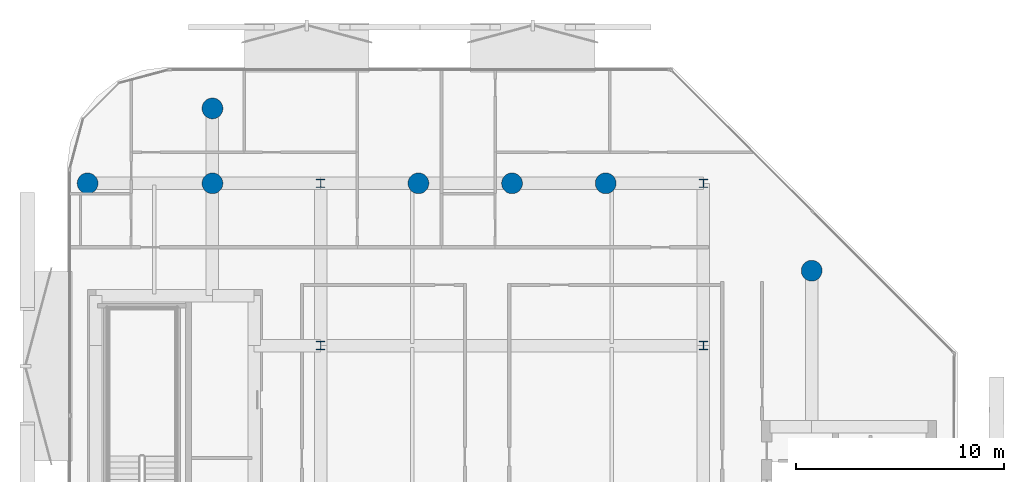
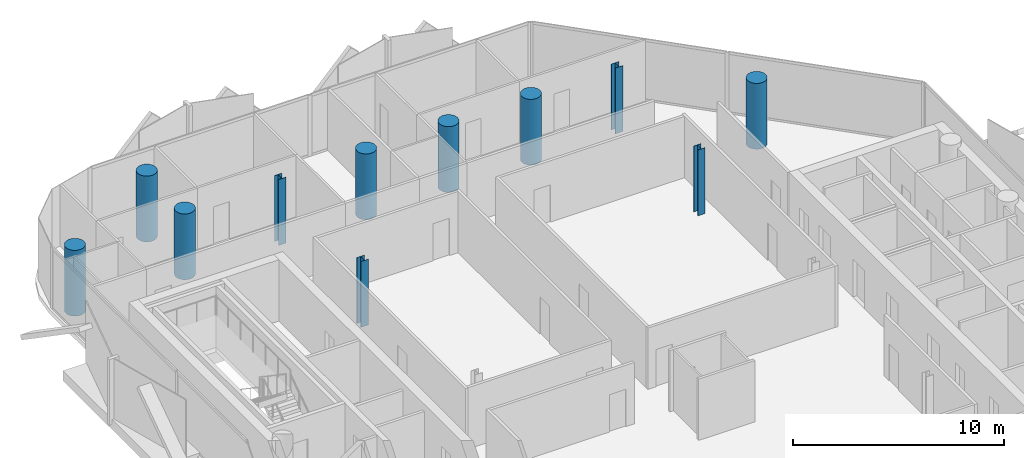
# One storey, part 2 of 16: 11 columns.
"""IFC4 building model written with IfcOpenShell, lengths in metres."""

import ifcopenshell
import ifcopenshell.guid

model = None  # the IFC model being written
_history = None  # IfcOwnerHistory: only IFC2X3 demands one
_inside = {}  # id of a spatial element -> (the spatial element, [elements in it])
_under = {}  # id of a project, library or spatial element -> (it, [spatial elements below it])
_declared = {}  # id of a project -> (the project, [libraries it declares])
_typed = {}  # id of a type object -> (the type object, [elements of that type])
_made_of = {}  # id of a material, layer set ... -> (it, [elements and type objects made of it])


def new_model(schema):
    """Start an empty IFC model of exactly this schema.

    Asked for "IFC4X3", IfcOpenShell would pick the latest addendum, in which some entities
    have other attributes; the version numbers below select the first issue.
    IFC2X3 requires an IfcOwnerHistory on every rooted entity: one is made here for all.
    """
    global model, _history
    if schema == "IFC4X3":
        model = ifcopenshell.file(schema_version=(4, 3, 0, 0))
    else:
        model = ifcopenshell.file(schema=schema)
    _inside.clear()
    _under.clear()
    _declared.clear()
    _typed.clear()
    _made_of.clear()
    _history = None
    if model.schema == "IFC2X3":
        org = make("IfcOrganization", Name="unknown")
        user = make(
            "IfcPersonAndOrganization",
            ThePerson=make("IfcPerson", FamilyName="unknown"),
            TheOrganization=org,
        )
        app = make(
            "IfcApplication",
            ApplicationDeveloper=org,
            Version="unknown",
            ApplicationFullName="unknown",
            ApplicationIdentifier="unknown",
        )
        _history = make(
            "IfcOwnerHistory",
            OwningUser=user,
            OwningApplication=app,
            ChangeAction="ADDED",
            CreationDate=0,
        )
    return model


def make(cls, **values):
    """One entity of the class cls with the attributes given. An attribute that is None is left unset."""
    return model.create_entity(
        cls, **{name: value for name, value in values.items() if value is not None}
    )


def rooted(cls, **values):
    """An entity with a GlobalId (a new one), such as an element, a storey or a relation."""
    return make(cls, GlobalId=ifcopenshell.guid.new(), OwnerHistory=_history, **values)


def si_unit(unit_type, name, prefix=None):
    """IfcSIUnit, for example si_unit("LENGTHUNIT", "METRE", prefix="MILLI")."""
    return make("IfcSIUnit", UnitType=unit_type, Prefix=prefix, Name=name)


def assignment(units):
    """IfcUnitAssignment: the units of a project."""
    return None if units is None else make("IfcUnitAssignment", Units=units)


def point(xyz):
    """IfcCartesianPoint."""
    return None if xyz is None else make("IfcCartesianPoint", Coordinates=xyz)


def direction(xyz):
    """IfcDirection."""
    return None if xyz is None else make("IfcDirection", DirectionRatios=xyz)


def frame(location, z_axis=None, x_axis=None):
    """IfcAxis2Placement3D, a coordinate frame: its origin and axes. An axis left out is left unset."""
    return make(
        "IfcAxis2Placement3D",
        Location=point(location),
        Axis=direction(z_axis),
        RefDirection=direction(x_axis),
    )


def frame_2d(location, x_axis=None):
    """IfcAxis2Placement2D, a coordinate frame in the plane: its origin and x axis."""
    return make(
        "IfcAxis2Placement2D", Location=point(location), RefDirection=direction(x_axis)
    )


def origin():
    """The frame at (0, 0, 0) with its axes left unset."""
    return frame((0.0, 0.0, 0.0))


def origin_2d():
    """The frame at (0, 0) in the plane with its x axis left unset."""
    return frame_2d((0.0, 0.0))


def place(relative_to, where):
    """IfcLocalPlacement: puts the frame where relative to a parent placement (None: the world)."""
    return make(
        "IfcLocalPlacement", PlacementRelTo=relative_to, RelativePlacement=where
    )


def context(
    kind, dimensions, precision=None, world=None, true_north=None, identifier=None
):
    """IfcGeometricRepresentationContext, for example the 3D "Model" context."""
    return make(
        "IfcGeometricRepresentationContext",
        ContextIdentifier=identifier,
        ContextType=kind,
        CoordinateSpaceDimension=dimensions,
        Precision=precision,
        WorldCoordinateSystem=world,
        TrueNorth=true_north,
    )


def subcontext(parent, identifier, kind, view, scale=None):
    """IfcGeometricRepresentationSubContext, for example "Body" below "Model"."""
    return make(
        "IfcGeometricRepresentationSubContext",
        ContextIdentifier=identifier,
        ContextType=kind,
        ParentContext=parent,
        TargetScale=scale,
        TargetView=view,
    )


def project(units=None, contexts=None):
    """IfcProject with its units and contexts."""
    return rooted(
        "IfcProject",
        Name="project",
        RepresentationContexts=contexts,
        UnitsInContext=assignment(units),
    )


def spatial(cls, under=None, at=None, **own):
    """A site, building, storey or space (cls), placed at a placement, below another one or the project."""
    s = rooted(cls, ObjectPlacement=at, **own)
    if under is not None:
        _under.setdefault(under.id(), (under, []))[1].append(s)
    return s


def profile(cls, at=None, kind="AREA", **sizes):
    """A parametric profile (cls). Its sizes go by their IFC names, for example OverallWidth=200.0."""
    return make(cls, ProfileType=kind, Position=at, **sizes)


def circle(**sizes):
    """IfcCircleProfileDef."""
    return profile("IfcCircleProfileDef", **sizes)


def i_section(**sizes):
    """IfcIShapeProfileDef."""
    return profile("IfcIShapeProfileDef", **sizes)


def extrude(swept, where, along, depth):
    """IfcExtrudedAreaSolid: the profile swept, set in the frame where, extruded along a direction by depth."""
    return make(
        "IfcExtrudedAreaSolid",
        SweptArea=swept,
        Position=where,
        ExtrudedDirection=direction(along),
        Depth=depth,
    )


def shape(context_of_items, identifier, shape_type, items):
    """IfcShapeRepresentation: the items that make up one representation, for example the "Body"."""
    return make(
        "IfcShapeRepresentation",
        ContextOfItems=context_of_items,
        RepresentationIdentifier=identifier,
        RepresentationType=shape_type,
        Items=items,
    )


def material(Name=None, Category=None):
    """IfcMaterial."""
    return make("IfcMaterial", Name=Name, Category=Category)


def material_profile(
    of_material, cross_section, Name=None, Category=None, Priority=None
):
    """IfcMaterialProfile: a cross section and its material."""
    return make(
        "IfcMaterialProfile",
        Name=Name,
        Material=of_material,
        Profile=cross_section,
        Priority=Priority,
        Category=Category,
    )


def profile_set(profiles, Name=None, composite=None):
    """IfcMaterialProfileSet."""
    return make(
        "IfcMaterialProfileSet",
        Name=Name,
        MaterialProfiles=profiles,
        CompositeProfile=composite,
    )


def made_of(thing, what):
    """Note that an element or type object is made of a material, layer set ...; save() writes the relation."""
    if what is not None:
        _made_of.setdefault(what.id(), (what, []))[1].append(thing)
    return thing


def type_object(cls, material=None, **own):
    """A type object (cls), such as IfcWallType, which elements share."""
    return made_of(rooted(cls, **own), material)


def element(
    cls,
    number,
    at=None,
    inside=None,
    cuts=None,
    type_object=None,
    material=None,
    context=None,
    identifier="Body",
    shape_type=None,
    held_by="IfcProductDefinitionShape",
    body=None,
    shapes=None,
    **own,
):
    """One element of the class cls, such as IfcWall. Its Tag is "e" and its number.

    at: its placement. inside: the storey or other place that contains it. cuts: it is an
    opening in that element (IfcRelVoidsElement). A single representation is given by context,
    identifier, shape_type and body (its items); several are given by shapes. held_by: the class
    of the entity that holds the representations. save() writes the other relations.
    """
    e = rooted(cls, Tag="e%d" % number, ObjectPlacement=at, **own)
    if body is not None:
        shapes = [shape(context, identifier, shape_type, body)]
    if shapes is not None:
        e.Representation = make(held_by, Representations=shapes)
    if inside is not None:
        _inside.setdefault(inside.id(), (inside, []))[1].append(e)
    if cuts is not None:
        rooted(
            "IfcRelVoidsElement", RelatingBuildingElement=cuts, RelatedOpeningElement=e
        )
    if type_object is not None:
        _typed.setdefault(type_object.id(), (type_object, []))[1].append(e)
    return made_of(e, material)


def aggregate(whole, parts):
    """IfcRelAggregates: a whole, such as a stair, and the parts it consists of."""
    return rooted("IfcRelAggregates", RelatingObject=whole, RelatedObjects=parts)


def save(model, path):
    """Write the relations noted so far, then the file.

    IfcRelAggregates (storeys below a building ...), IfcRelContainedInSpatialStructure (elements
    in a storey), IfcRelDefinesByType, IfcRelAssociatesMaterial and IfcRelDeclares: one each for
    every whole, place, type object, material and project.
    """
    for whole, parts in _under.values():
        aggregate(whole, parts)
    for where, things in _inside.values():
        rooted(
            "IfcRelContainedInSpatialStructure",
            RelatedElements=things,
            RelatingStructure=where,
        )
    for kind, things in _typed.values():
        rooted("IfcRelDefinesByType", RelatedObjects=things, RelatingType=kind)
    for what, things in _made_of.values():
        rooted("IfcRelAssociatesMaterial", RelatedObjects=things, RelatingMaterial=what)
    for by, libraries in _declared.values():
        rooted("IfcRelDeclares", RelatingContext=by, RelatedDefinitions=libraries)
    model.write(path)


model = new_model("IFC4")

# Units and contexts
model_context = context("Model", 3, precision=1e-05, world=origin(), true_north=direction((0.0, 1.0)))
body_context = subcontext(model_context, "Body", "Model", "MODEL_VIEW")
ifc_project = project(units=[si_unit("LENGTHUNIT", "METRE"), si_unit("AREAUNIT", "SQUARE_METRE"), si_unit("VOLUMEUNIT", "CUBIC_METRE"), si_unit("PLANEANGLEUNIT", "RADIAN"), si_unit("MASSUNIT", "GRAM", prefix="KILO")], contexts=[model_context])

# Site, building, storey
site_placement = place(None, origin())
site = spatial("IfcSite", under=ifc_project, at=site_placement, CompositionType="ELEMENT")
building_placement = place(site_placement, origin())
building = spatial("IfcBuilding", under=site, at=building_placement, Name="Khairoan Windgate Tower", CompositionType="ELEMENT")
storey_placement = place(building_placement, frame((0.0, 0.0, 300.39990234375)))
storey = spatial("IfcBuildingStorey", under=building, at=storey_placement, Name="L72", CompositionType="ELEMENT", Elevation=300.39990234375)

# Columns
ifc_material_1 = material(Name="Concrete C60/75", Category="concrete")
ifc_material_profile_1 = material_profile(ifc_material_1, circle(Radius=0.5, at=origin_2d()))
ifc_profile_set_1 = profile_set([ifc_material_profile_1], Name="Concrete C60/75")
column_type_1 = type_object("IfcColumnType", Name="Column C-P1 RC-D1000", PredefinedType="COLUMN", material=ifc_profile_set_1)
for number, where, z_axis, x_axis, name in (
    (1, (-20.39990234375, 18.60009765625, 0.0), (0.0, 0.0, 1.0), (1.0, 0.0, 0.0), "Column L72-11"),
    (2, (-14.39990234375, 18.60009765625, 0.0), (0.0, 0.0, 1.0), (1.0, 0.0, 0.0), "Column L72-14"),
    (3, (14.39990234375, 14.39990234375, 0.0), (0.0, 0.0, 1.0), (1.0, 0.0, 0.0), "Column L72-16"),
    (4, (-4.5, 18.60009765625, 0.0), (0.0, 0.0, 1.0), (1.0, 0.0, 0.0), "Column L72-20"),
    (5, (0.0, 18.60009765625, 0.0), (0.0, 0.0, 1.0), (1.0, 0.0, 0.0), "Column L72-21"),
    (6, (4.5, 18.60009765625, 0.0), (0.0, 0.0, 1.0), (1.0, 0.0, 0.0), "Column L72-22"),
    (7, (-14.39990234375, 22.199951171875, 0.0), (0.0, 0.0, 1.0), (1.0, 0.0, 0.0), "Column L72-27"),
):
    element("IfcColumn", number, at=place(storey_placement, frame(where, z_axis=z_axis, x_axis=x_axis)), inside=storey, type_object=column_type_1, Name=name, PredefinedType="COLUMN", context=body_context, shape_type="SweptSolid", body=[
        extrude(circle(Radius=0.5, at=origin_2d()), origin(), (0.0, 0.0, 1.0), 3.800048828125),
    ])
ifc_material_2 = material(Name="Steel S355", Category="steel")
ifc_material_profile_2 = material_profile(ifc_material_2, i_section(OverallWidth=0.39990234375, OverallDepth=0.39990234375, WebThickness=0.012939453125, FlangeThickness=0.02099609375, FilletRadius=0.02197265625, at=origin_2d()))
ifc_profile_set_2 = profile_set([ifc_material_profile_2], Name="Steel S355")
column_type_2 = type_object("IfcColumnType", Name="Steel Column SC4 H400x400x13x21", PredefinedType="COLUMN", material=ifc_profile_set_2)
for number, where, z_axis, x_axis, name in (
    (8, (-9.199951171875, 10.800048828125, 0.0), (0.0, 0.0, 1.0), (1.0, 0.0, 0.0), "Column L72-04"),
    (9, (-9.199951171875, 18.60009765625, 0.0), (0.0, 0.0, 1.0), (1.0, 0.0, 0.0), "Column L72-05"),
    (10, (9.199951171875, 10.800048828125, 0.0), (0.0, 0.0, 1.0), (1.0, 0.0, 0.0), "Column L72-09"),
    (11, (9.199951171875, 18.60009765625, 0.0), (0.0, 0.0, 1.0), (1.0, 0.0, 0.0), "Column L72-10"),
):
    element("IfcColumn", number, at=place(storey_placement, frame(where, z_axis=z_axis, x_axis=x_axis)), inside=storey, type_object=column_type_2, Name=name, PredefinedType="COLUMN", context=body_context, shape_type="SweptSolid", body=[
        extrude(i_section(OverallWidth=0.39990234375, OverallDepth=0.39990234375, WebThickness=0.012939453125, FlangeThickness=0.02099609375, FilletRadius=0.02197265625, at=origin_2d()), origin(), (0.0, 0.0, 1.0), 3.800048828125),
    ])

save(model, "model.ifc")
